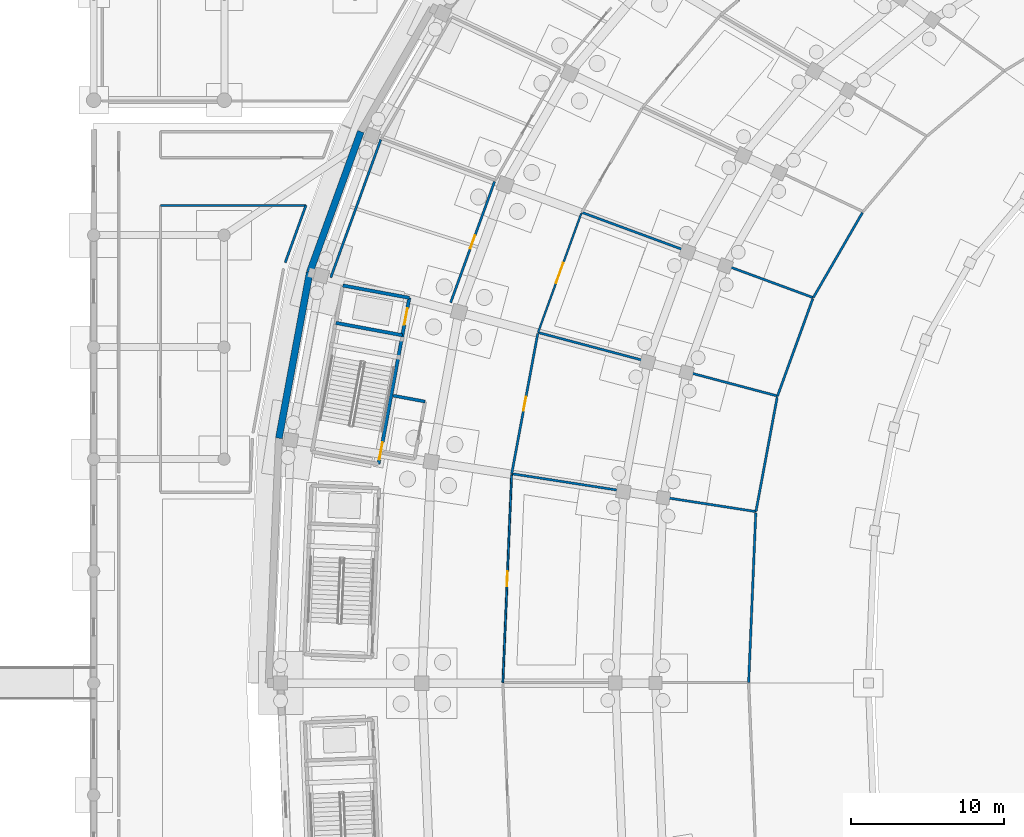
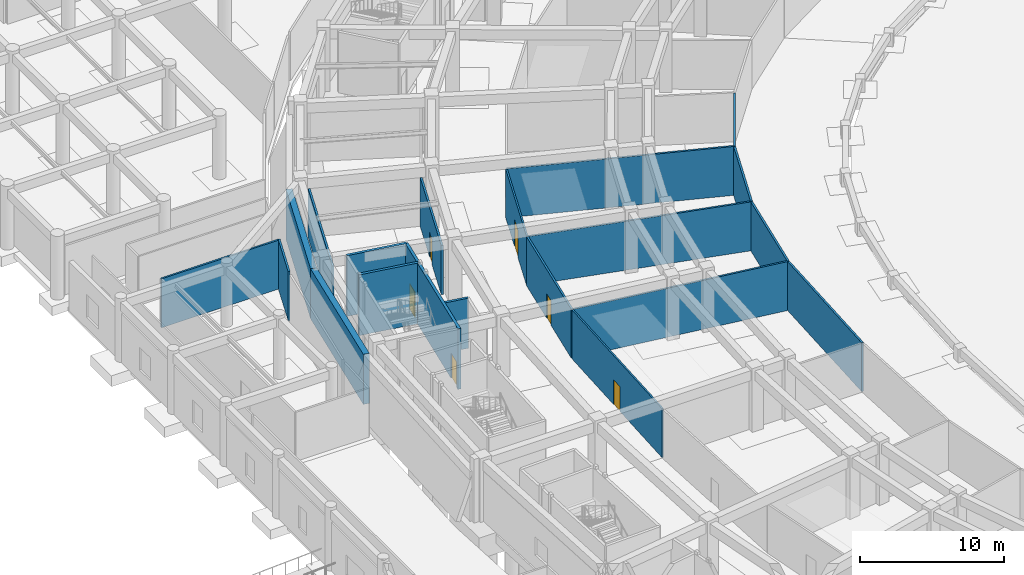
# One storey, part 47 of 88: 20 walls, 6 doors, 6 openings.
"""IFC4 building model written with IfcOpenShell, lengths in metres."""

from ifc_helpers import new_model, si_unit, direction, frame, frame_2d, origin, place, context, subcontext, project, spatial, rectangle, extrude, material, layer, layer_set, type_object, element, fill, save


model = new_model("IFC4")

# Units and contexts
model_context = context("Model", 3, precision=1e-05, world=origin(), true_north=direction((0.0, 1.0)))
body_context = subcontext(model_context, "Body", "Model", "MODEL_VIEW")
ifc_project = project(units=[si_unit("LENGTHUNIT", "METRE"), si_unit("AREAUNIT", "SQUARE_METRE"), si_unit("VOLUMEUNIT", "CUBIC_METRE"), si_unit("PLANEANGLEUNIT", "RADIAN"), si_unit("MASSUNIT", "GRAM", prefix="KILO")], contexts=[model_context])

# Site, building, storey
site_placement = place(None, origin())
site = spatial("IfcSite", under=ifc_project, at=site_placement, CompositionType="ELEMENT")
building_placement = place(site_placement, origin())
building = spatial("IfcBuilding", under=site, at=building_placement, Name="Mphavela Belvedere Stadium", CompositionType="ELEMENT")
storey_placement = place(building_placement, origin())
storey = spatial("IfcBuildingStorey", under=building, at=storey_placement, Name="L00", CompositionType="ELEMENT", Elevation=0.0)

# Wall
ifc_material_1 = material(Name="Concrete C40/50", Category="concrete")
ifc_layer_1 = layer(ifc_material_1, 0.219970703125)
ifc_layer_set_1 = layer_set([ifc_layer_1], Name="Concrete C40/50")
wall_type_1 = type_object("IfcWallType", Name="WAL-CORE-SHEAR-220", PredefinedType="SHEAR", material=ifc_layer_set_1)
wall_1_placement = place(storey_placement, frame((20.575927734375, 112.11474609375, 0.0), z_axis=(0.0, 0.0, 1.0), x_axis=(-0.983189729951, 0.18258684213, 0.0)))
element("IfcWall", 1, at=wall_1_placement, inside=storey, type_object=wall_type_1, Name="Core C06 shear wall L00 right", PredefinedType="SHEAR", context=body_context, shape_type="SweptSolid", body=[
    extrude(rectangle(XDim=4.409912109375, YDim=0.219970703125, at=frame_2d((2.205078125, 0.0))), origin(), (0.0, 0.0, 1.0), 5.14990234375),
])

# Wall, openings, doors
wall_2_placement = place(storey_placement, frame((18.56396484375, 101.27978515625, 0.0), z_axis=(0.0, 0.0, 1.0), x_axis=(0.182570778451, 0.983192712979, 0.0)))
wall_2 = element("IfcWall", 2, at=wall_2_placement, inside=storey, type_object=wall_type_1, Name="Core C06 shear wall L00 front", PredefinedType="SHEAR", context=body_context, shape_type="SweptSolid", body=[
    extrude(rectangle(XDim=11.020263671875, YDim=0.219970703125, at=frame_2d((5.51025390625, 0.0))), origin(), (0.0, 0.0, 1.0), 5.14990234375),
])
opening_1_placement = place(wall_2_placement, frame((0.300048828125, 0.0, 0.0)))
opening_1 = element("IfcOpeningElement", 3, at=opening_1_placement, cuts=wall_2, Name="Opening SD-027", PredefinedType="OPENING", context=body_context, shape_type="SweptSolid", body=[
    extrude(rectangle(XDim=1.14990234375, YDim=2.14990234375, at=frame_2d((0.574951171875, 1.074951171875))), frame((0.0, 0.1201171875, 0.0), z_axis=(0.0, -1.0, 0.0), x_axis=(1.0, 0.0, 0.0)), (0.0, 0.0, 1.0), 0.239990234375),
])
opening_2_placement = place(wall_2_placement, frame((9.22998046875, 0.0, 0.0)))
opening_2 = element("IfcOpeningElement", 4, at=opening_2_placement, cuts=wall_2, Name="Opening LD-027", PredefinedType="OPENING", context=body_context, shape_type="SweptSolid", body=[
    extrude(rectangle(XDim=1.10009765625, YDim=2.14990234375, at=frame_2d((0.550048828125, 1.074951171875))), frame((0.0, 0.1201171875, 0.0), z_axis=(0.0, -1.0, 0.0), x_axis=(1.0, 0.0, 0.0)), (0.0, 0.0, 1.0), 0.239990234375),
])
ifc_material_2 = material(Name="Stainless steel center-parting lift landing door", Category="steel")
door_type_1 = type_object("IfcDoorType", Name="DR-LIFT-SLIDE-1100", OperationType="NOTDEFINED", PredefinedType="DOOR", material=ifc_material_2)
door_1_placement = place(opening_2_placement, origin())
door_1 = element("IfcDoor", 5, at=door_1_placement, inside=storey, type_object=door_type_1, Name="Lift landing sliding door FL03 L00", OperationType="DOUBLE_DOOR_SLIDING", OverallHeight=2.14990234375, OverallWidth=1.10009765625, PredefinedType="DOOR", context=body_context, shape_type="SweptSolid", body=[
    extrude(rectangle(XDim=1.10009765625, YDim=2.14990234375, at=frame_2d((0.550048828125, 1.074951171875))), frame((0.0, 0.02490234375, 0.0), z_axis=(0.0, -1.0, 0.0), x_axis=(1.0, 0.0, 0.0)), (0.0, 0.0, 1.0), 0.050048828125),
])
fill(opening_2, door_1)
ifc_material_3 = material(Name="Steel acoustic fire-resisting stair doorset", Category="steel")
door_type_2 = type_object("IfcDoorType", Name="DR-STAIR-FIRE-1150", OperationType="NOTDEFINED", PredefinedType="DOOR", material=ifc_material_3)
door_2_placement = place(opening_1_placement, origin())
door_2 = element("IfcDoor", 6, at=door_2_placement, inside=storey, type_object=door_type_2, Name="Escape stair fire door C06 L00", OperationType="SINGLE_SWING_LEFT", OverallHeight=2.14990234375, OverallWidth=1.14990234375, PredefinedType="DOOR", context=body_context, shape_type="SweptSolid", body=[
    extrude(rectangle(XDim=1.14990234375, YDim=2.14990234375, at=frame_2d((0.574951171875, 1.074951171875))), frame((0.0, 0.02490234375, 0.0), z_axis=(0.0, -1.0, 0.0), x_axis=(1.0, 0.0, 0.0)), (0.0, 0.0, 1.0), 0.050048828125),
])
fill(opening_1, door_2)

# Wall
wall_3_placement = place(storey_placement, frame((20.123291015625, 109.676513671875, 0.0), z_axis=(0.0, 0.0, 1.0), x_axis=(-0.983201511677, 0.182523388739, 0.0)))
element("IfcWall", 7, at=wall_3_placement, inside=storey, type_object=wall_type_1, Name="Core C06 shear wall L00 div", PredefinedType="SHEAR", context=body_context, shape_type="SweptSolid", body=[
    extrude(rectangle(XDim=4.409912109375, YDim=0.219970703125, at=frame_2d((2.205078125, 0.0))), origin(), (0.0, 0.0, 1.0), 5.14990234375),
])

# Wall, opening, door
ifc_material_4 = material(Name="Moisture-resistant sanitary partition assembly")
ifc_layer_2 = layer(ifc_material_4, 0.125)
ifc_layer_set_2 = layer_set([ifc_layer_2], Name="Moisture-resistant sanitary partition assembly")
wall_type_2 = type_object("IfcWallType", Name="WAL-PART-125", PredefinedType="PARTITIONING", material=ifc_layer_set_2)
wall_4_placement = place(storey_placement, frame((28.967529296875, 109.856201171875, 0.0), z_axis=(0.0, 0.0, 1.0), x_axis=(0.341044733968, 0.940047067669, 0.0)))
wall_4 = element("IfcWall", 8, at=wall_4_placement, inside=storey, type_object=wall_type_2, Name="Room L00-90 corridor partition", PredefinedType="PARTITIONING", context=body_context, shape_type="SweptSolid", body=[
    extrude(rectangle(XDim=8.25390625, YDim=0.125, at=frame_2d((4.126953125, 0.0))), origin(), (0.0, 0.0, 1.0), 4.14990234375),
])
opening_3_placement = place(wall_4_placement, frame((3.427001953125, 0.0, 0.0)))
opening_3 = element("IfcOpeningElement", 9, at=opening_3_placement, cuts=wall_4, Name="Opening ID-036", PredefinedType="OPENING", context=body_context, shape_type="SweptSolid", body=[
    extrude(rectangle(XDim=1.39990234375, YDim=2.300048828125, at=frame_2d((0.699951171875, 1.14990234375))), frame((0.0, 0.072509765625, 0.0), z_axis=(0.0, -1.0, 0.0), x_axis=(1.0, 0.0, 0.0)), (0.0, 0.0, 1.0), 0.14501953125),
])
ifc_material_5 = material(Name="Hardwood acoustic timber doorset", Category="wood")
door_type_3 = type_object("IfcDoorType", Name="DR-INT-36", OperationType="NOTDEFINED", PredefinedType="DOOR", material=ifc_material_5)
door_3_placement = place(opening_3_placement, origin())
door_3 = element("IfcDoor", 10, at=door_3_placement, inside=storey, type_object=door_type_3, Name="Room L00-90 entrance door ID-036", OperationType="SINGLE_SWING_RIGHT", OverallHeight=2.300048828125, OverallWidth=1.39990234375, PredefinedType="DOOR", context=body_context, shape_type="SweptSolid", body=[
    extrude(rectangle(XDim=1.39990234375, YDim=2.300048828125, at=frame_2d((0.699951171875, 1.14990234375))), frame((0.0, 0.02490234375, 0.0), z_axis=(0.0, -1.0, 0.0), x_axis=(1.0, 0.0, 0.0)), (0.0, 0.0, 1.0), 0.050048828125),
])
fill(opening_3, door_3)

wall_5_placement = place(storey_placement, frame((26.6748046875, 87.0400390625, 0.0), z_axis=(0.0, 0.0, 1.0), x_axis=(0.041894479342, 0.999122040894, 0.0)))
wall_5 = element("IfcWall", 11, at=wall_5_placement, inside=storey, type_object=wall_type_2, Name="Room L00-95 corridor partition", PredefinedType="PARTITIONING", context=body_context, shape_type="SweptSolid", body=[
    extrude(rectangle(XDim=13.543212890625, YDim=0.125, at=frame_2d((6.771484375, 0.0))), origin(), (0.0, 0.0, 1.0), 4.14990234375),
])
opening_4_placement = place(wall_5_placement, frame((6.281494140625, 0.0, 0.0)))
opening_4 = element("IfcOpeningElement", 12, at=opening_4_placement, cuts=wall_5, Name="Opening ID-039", PredefinedType="OPENING", context=body_context, shape_type="SweptSolid", body=[
    extrude(rectangle(XDim=0.97998046875, YDim=2.10009765625, at=frame_2d((0.489990234375, 1.050048828125))), frame((0.0, 0.072509765625, 0.0), z_axis=(0.0, -1.0, 0.0), x_axis=(1.0, 0.0, 0.0)), (0.0, 0.0, 1.0), 0.14501953125),
])
ifc_material_6 = material(Name="Hardwood acoustic timber doorset", Category="wood")
door_type_4 = type_object("IfcDoorType", Name="DR-INT-03", OperationType="NOTDEFINED", PredefinedType="DOOR", material=ifc_material_6)
door_4_placement = place(opening_4_placement, origin())
door_4 = element("IfcDoor", 13, at=door_4_placement, inside=storey, type_object=door_type_4, Name="Room L00-95 entrance door ID-039", OperationType="SINGLE_SWING_LEFT", OverallHeight=2.10009765625, OverallWidth=0.97998046875, PredefinedType="DOOR", context=body_context, shape_type="SweptSolid", body=[
    extrude(rectangle(XDim=0.97998046875, YDim=2.10009765625, at=frame_2d((0.489990234375, 1.050048828125))), frame((0.0, 0.02490234375, 0.0), z_axis=(0.0, -1.0, 0.0), x_axis=(1.0, 0.0, 0.0)), (0.0, 0.0, 1.0), 0.050048828125),
])
fill(opening_4, door_4)

ifc_material_7 = material(Name="Acoustic gypsum stud partition assembly")
ifc_layer_3 = layer(ifc_material_7, 0.14990234375)
ifc_layer_set_3 = layer_set([ifc_layer_3], Name="Acoustic gypsum stud partition assembly")
wall_type_3 = type_object("IfcWallType", Name="WAL-PART-150", PredefinedType="PARTITIONING", material=ifc_layer_set_3)
wall_6_placement = place(storey_placement, frame((26.133544921875, 119.6962890625, 0.0), z_axis=(0.0, 0.0, 1.0), x_axis=(-0.341044550343, -0.940047134287, 0.0)))
wall_6 = element("IfcWall", 14, at=wall_6_placement, inside=storey, type_object=wall_type_3, Name="Room L00-91 corridor partition", PredefinedType="PARTITIONING", context=body_context, shape_type="SweptSolid", body=[
    extrude(rectangle(XDim=8.39208984375, YDim=0.14990234375, at=frame_2d((4.196044921875, 0.0))), origin(), (0.0, 0.0, 1.0), 4.14990234375),
])
opening_5_placement = place(wall_6_placement, frame((3.74609375, 0.0, 0.0)))
opening_5 = element("IfcOpeningElement", 15, at=opening_5_placement, cuts=wall_6, Name="Opening ID-037", PredefinedType="OPENING", context=body_context, shape_type="SweptSolid", body=[
    extrude(rectangle(XDim=0.89990234375, YDim=2.10009765625, at=frame_2d((0.449951171875, 1.050048828125))), frame((0.0, 0.0849609375, 0.0), z_axis=(0.0, -1.0, 0.0), x_axis=(1.0, 0.0, 0.0)), (0.0, 0.0, 1.0), 0.169921875),
])
ifc_material_8 = material(Name="Hardwood acoustic timber doorset", Category="wood")
door_type_5 = type_object("IfcDoorType", Name="DR-INT-01", OperationType="NOTDEFINED", PredefinedType="DOOR", material=ifc_material_8)
door_5_placement = place(opening_5_placement, origin())
door_5 = element("IfcDoor", 16, at=door_5_placement, inside=storey, type_object=door_type_5, Name="Room L00-91 entrance door ID-037", OperationType="SINGLE_SWING_LEFT", OverallHeight=2.10009765625, OverallWidth=0.89990234375, PredefinedType="DOOR", context=body_context, shape_type="SweptSolid", body=[
    extrude(rectangle(XDim=0.89990234375, YDim=2.10009765625, at=frame_2d((0.449951171875, 1.050048828125))), frame((0.0, 0.02490234375, 0.0), z_axis=(0.0, -1.0, 0.0), x_axis=(1.0, 0.0, 0.0)), (0.0, 0.0, 1.0), 0.050048828125),
])
fill(opening_5, door_5)

wall_7_placement = place(storey_placement, frame((27.251220703125, 100.65087890625, 0.0), z_axis=(0.0, 0.0, 1.0), x_axis=(0.182600545941, 0.983187184936, 0.0)))
wall_7 = element("IfcWall", 17, at=wall_7_placement, inside=storey, type_object=wall_type_3, Name="Room L00-93 corridor partition", PredefinedType="PARTITIONING", context=body_context, shape_type="SweptSolid", body=[
    extrude(rectangle(XDim=9.2841796875, YDim=0.14990234375, at=frame_2d((4.64208984375, 0.0))), origin(), (0.0, 0.0, 1.0), 4.14990234375),
])
opening_6_placement = place(wall_7_placement, frame((4.172119140625, 0.0, 0.0)))
opening_6 = element("IfcOpeningElement", 18, at=opening_6_placement, cuts=wall_7, Name="Opening ID-038", PredefinedType="OPENING", context=body_context, shape_type="SweptSolid", body=[
    extrude(rectangle(XDim=0.93994140625, YDim=2.10009765625, at=frame_2d((0.469970703125, 1.050048828125))), frame((0.0, 0.0849609375, 0.0), z_axis=(0.0, -1.0, 0.0), x_axis=(1.0, 0.0, 0.0)), (0.0, 0.0, 1.0), 0.169921875),
])
ifc_material_9 = material(Name="Hardwood acoustic timber doorset", Category="wood")
door_type_6 = type_object("IfcDoorType", Name="DR-INT-02", OperationType="NOTDEFINED", PredefinedType="DOOR", material=ifc_material_9)
door_6_placement = place(opening_6_placement, origin())
door_6 = element("IfcDoor", 19, at=door_6_placement, inside=storey, type_object=door_type_6, Name="Room L00-93 entrance door ID-038", OperationType="SINGLE_SWING_RIGHT", OverallHeight=2.10009765625, OverallWidth=0.93994140625, PredefinedType="DOOR", context=body_context, shape_type="SweptSolid", body=[
    extrude(rectangle(XDim=0.93994140625, YDim=2.10009765625, at=frame_2d((0.469970703125, 1.050048828125))), frame((0.0, 0.02490234375, 0.0), z_axis=(0.0, -1.0, 0.0), x_axis=(1.0, 0.0, 0.0)), (0.0, 0.0, 1.0), 0.050048828125),
])
fill(opening_6, door_6)

# Walls
wall_8_placement = place(storey_placement, frame((50.11279296875, 117.6689453125, 0.0), z_axis=(0.0, 0.0, 1.0), x_axis=(-0.500568608351, -0.865696868617, 0.0)))
element("IfcWall", 20, at=wall_8_placement, inside=storey, type_object=wall_type_3, Name="Room divider partition L00-0061", PredefinedType="PARTITIONING", context=body_context, shape_type="SweptSolid", body=[
    extrude(rectangle(XDim=6.40087890625, YDim=0.14990234375, at=frame_2d((3.200439453125, 0.0))), origin(), (0.0, 0.0, 1.0), 4.14990234375),
])
wall_9_placement = place(storey_placement, frame((46.90869140625, 112.127685546875, 0.0), z_axis=(0.0, 0.0, 1.0), x_axis=(-0.938344671795, 0.345701138143, 0.0)))
element("IfcWall", 21, at=wall_9_placement, inside=storey, type_object=wall_type_3, Name="Room divider partition L00-0062", PredefinedType="PARTITIONING", context=body_context, shape_type="SweptSolid", body=[
    extrude(rectangle(XDim=16.08349609375, YDim=0.14990234375, at=frame_2d((8.041748046875, 0.0))), origin(), (0.0, 0.0, 1.0), 4.14990234375),
])
wall_10_placement = place(storey_placement, frame((46.87548828125, 112.0546875, 0.0), z_axis=(0.0, 0.0, 1.0), x_axis=(-0.341039355212, -0.940049019039, 0.0)))
element("IfcWall", 22, at=wall_10_placement, inside=storey, type_object=wall_type_3, Name="Room divider partition L00-0065", PredefinedType="PARTITIONING", context=body_context, shape_type="SweptSolid", body=[
    extrude(rectangle(XDim=6.7421875, YDim=0.14990234375, at=frame_2d((3.37109375, 0.0))), origin(), (0.0, 0.0, 1.0), 4.14990234375),
])
wall_11_placement = place(storey_placement, frame((44.576171875, 105.716796875, 0.0), z_axis=(0.0, 0.0, 1.0), x_axis=(-0.966587096108, 0.256338420135, 0.0)))
element("IfcWall", 23, at=wall_11_placement, inside=storey, type_object=wall_type_3, Name="Room divider partition L00-0066", PredefinedType="PARTITIONING", context=body_context, shape_type="SweptSolid", body=[
    extrude(rectangle(XDim=16.148193359375, YDim=0.14990234375, at=frame_2d((8.07421875, 0.0))), origin(), (0.0, 0.0, 1.0), 4.14990234375),
])
wall_12_placement = place(storey_placement, frame((15.454833984375, 113.439697265625, 0.0), z_axis=(0.0, 0.0, 1.0), x_axis=(0.341041892941, 0.940048098375, 0.0)))
element("IfcWall", 24, at=wall_12_placement, inside=storey, type_object=wall_type_3, Name="Room divider partition L00-0067", PredefinedType="PARTITIONING", context=body_context, shape_type="SweptSolid", body=[
    extrude(rectangle(XDim=9.5625, YDim=0.14990234375, at=frame_2d((4.78125, 0.0))), origin(), (0.0, 0.0, 1.0), 4.14990234375),
])
wall_13_placement = place(storey_placement, frame((44.55517578125, 105.6396484375, 0.0), z_axis=(0.0, 0.0, 1.0), x_axis=(-0.182622862121, -0.983183040044, 0.0)))
element("IfcWall", 25, at=wall_13_placement, inside=storey, type_object=wall_type_3, Name="Room divider partition L00-0068", PredefinedType="PARTITIONING", context=body_context, shape_type="SweptSolid", body=[
    extrude(rectangle(XDim=7.585205078125, YDim=0.14990234375, at=frame_2d((3.79248046875, 0.0))), origin(), (0.0, 0.0, 1.0), 4.14990234375),
])
wall_14_placement = place(storey_placement, frame((43.169921875, 98.181884765625, 0.0), z_axis=(0.0, 0.0, 1.0), x_axis=(-0.988184709928, 0.153267671296, 0.0)))
element("IfcWall", 26, at=wall_14_placement, inside=storey, type_object=wall_type_3, Name="Room divider partition L00-0069", PredefinedType="PARTITIONING", context=body_context, shape_type="SweptSolid", body=[
    extrude(rectangle(XDim=16.109130859375, YDim=0.14990234375, at=frame_2d((8.0546875, 0.0))), origin(), (0.0, 0.0, 1.0), 4.14990234375),
])
wall_15_placement = place(storey_placement, frame((43.16064453125, 98.102294921875, 0.0), z_axis=(0.0, 0.0, 1.0), x_axis=(-0.041917617243, -0.999121070424, 0.0)))
element("IfcWall", 27, at=wall_15_placement, inside=storey, type_object=wall_type_3, Name="Room divider partition L00-0070", PredefinedType="PARTITIONING", context=body_context, shape_type="SweptSolid", body=[
    extrude(rectangle(XDim=11.072021484375, YDim=0.14990234375, at=frame_2d((5.5361328125, 0.0))), origin(), (0.0, 0.0, 1.0), 4.14990234375),
])
wall_16_placement = place(storey_placement, frame((4.360107421875, 118.139892578125, 0.0), z_axis=(0.0, 0.0, 1.0), x_axis=(1.0, 0.0, 0.0)))
element("IfcWall", 28, at=wall_16_placement, inside=storey, type_object=wall_type_3, Name="Room divider partition L00-1145", PredefinedType="PARTITIONING", context=body_context, shape_type="SweptSolid", body=[
    extrude(rectangle(XDim=9.4765625, YDim=0.14990234375, at=frame_2d((4.73828125, 0.0))), origin(), (0.0, 0.0, 1.0), 4.14990234375),
])
wall_17_placement = place(storey_placement, frame((13.836669921875, 118.139892578125, 0.0), z_axis=(0.0, 0.0, 1.0), x_axis=(-0.341035525383, -0.94005040845, 0.0)))
element("IfcWall", 29, at=wall_17_placement, inside=storey, type_object=wall_type_3, Name="Room divider partition L00-1146", PredefinedType="PARTITIONING", context=body_context, shape_type="SweptSolid", body=[
    extrude(rectangle(XDim=3.96240234375, YDim=0.14990234375, at=frame_2d((1.981201171875, 0.0))), origin(), (0.0, 0.0, 1.0), 4.14990234375),
])
ifc_material_10 = material(Name="Fire-rated calcium silicate partition assembly")
ifc_layer_4 = layer(ifc_material_10, 0.199951171875)
ifc_layer_set_4 = layer_set([ifc_layer_4], Name="Fire-rated calcium silicate partition assembly")
wall_type_4 = type_object("IfcWallType", Name="WAL-PART-FF-200", PredefinedType="PARTITIONING", material=ifc_layer_set_4)
wall_18_placement = place(storey_placement, frame((21.603759765625, 105.353515625, 0.0), z_axis=(0.0, 0.0, 1.0), x_axis=(-0.983197891107, 0.182542890641, 0.0)))
element("IfcWall", 30, at=wall_18_placement, inside=storey, type_object=wall_type_4, Name="Firefighting lobby side wall R C06 L00", PredefinedType="PARTITIONING", context=body_context, shape_type="SweptSolid", body=[
    extrude(rectangle(XDim=2.119873046875, YDim=0.199951171875, at=frame_2d((1.06005859375, 0.0))), origin(), (0.0, 0.0, 1.0), 4.25),
])
ifc_material_11 = material(Name="Concrete C40/50", Category="concrete")
ifc_layer_5 = layer(ifc_material_11, 0.449951171875)
ifc_layer_set_5 = layer_set([ifc_layer_5], Name="Concrete C40/50")
wall_type_5 = type_object("IfcWallType", Name="WALL-RETAINING-450", PredefinedType="USERDEFINED", material=ifc_layer_set_5)
wall_19_placement = place(storey_placement, frame((17.412841796875, 122.95166015625, 0.0), z_axis=(0.0, 0.0, 1.0), x_axis=(-0.341033041448, -0.940051309579, 0.0)))
element("IfcWall", 31, at=wall_19_placement, inside=storey, type_object=wall_type_5, Name="Uphill earth-bank retaining wall 22", ObjectType="RETAININGWALL", PredefinedType="USERDEFINED", context=body_context, shape_type="SweptSolid", body=[
    extrude(rectangle(XDim=9.774658203125, YDim=0.449951171875, at=frame_2d((4.88720703125, 0.0))), origin(), (0.0, 0.0, 1.0), 4.25),
])
wall_20_placement = place(storey_placement, frame((14.079345703125, 113.762939453125, 0.0), z_axis=(0.0, 0.0, 1.0), x_axis=(-0.18263209947, -0.983181324194, 0.0)))
element("IfcWall", 32, at=wall_20_placement, inside=storey, type_object=wall_type_5, Name="Uphill earth-bank retaining wall 23", ObjectType="RETAININGWALL", PredefinedType="USERDEFINED", context=body_context, shape_type="SweptSolid", body=[
    extrude(rectangle(XDim=10.983154296875, YDim=0.449951171875, at=frame_2d((5.49169921875, 0.0))), origin(), (0.0, 0.0, 1.0), 4.25),
])

save(model, "model.ifc")
